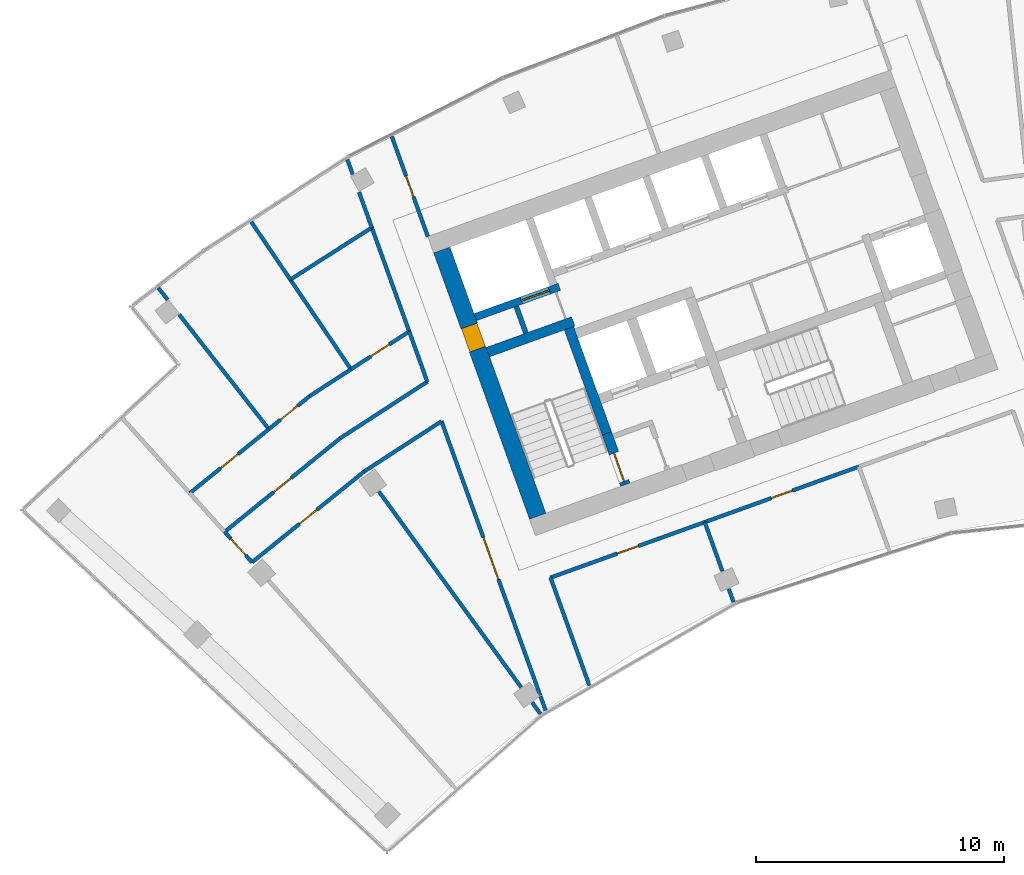
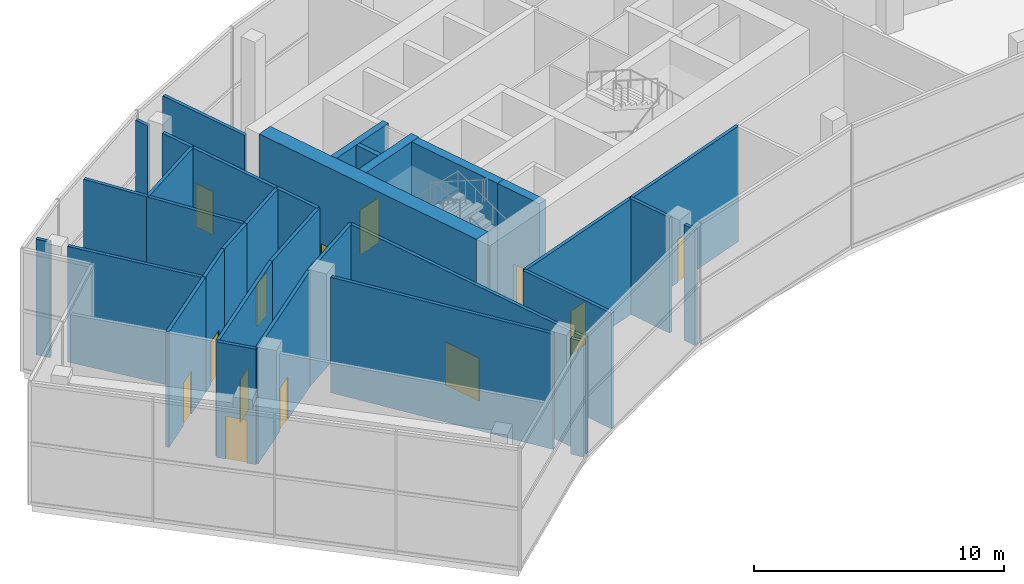
# One storey, part 11 of 18: 34 walls, 13 doors, 13 openings.
"""IFC4 building model written with IfcOpenShell, lengths in metres."""

from ifc_helpers import new_model, si_unit, direction, frame, frame_2d, origin, place, context, subcontext, project, spatial, rectangle, extrude, material, layer, layer_set, type_object, element, fill, save


model = new_model("IFC4")

# Units and contexts
model_context = context("Model", 3, precision=1e-05, world=origin(), true_north=direction((0.0, 1.0)))
body_context = subcontext(model_context, "Body", "Model", "MODEL_VIEW")
ifc_project = project(units=[si_unit("LENGTHUNIT", "METRE"), si_unit("AREAUNIT", "SQUARE_METRE"), si_unit("VOLUMEUNIT", "CUBIC_METRE"), si_unit("PLANEANGLEUNIT", "RADIAN"), si_unit("MASSUNIT", "GRAM", prefix="KILO")], contexts=[model_context])

# Site, building, storey
site_placement = place(None, origin())
site = spatial("IfcSite", under=ifc_project, at=site_placement, CompositionType="ELEMENT")
building_placement = place(site_placement, origin())
building = spatial("IfcBuilding", under=site, at=building_placement, Name="Stone Belt Terrace Tower", CompositionType="ELEMENT")
storey_placement = place(building_placement, frame((0.0, 0.0, 307.39990234375)))
storey = spatial("IfcBuildingStorey", under=building, at=storey_placement, Name="L75", CompositionType="ELEMENT", Elevation=307.39990234375)

# Wall, opening, door
ifc_material_1 = material(Name="Concrete B60", Category="concrete")
ifc_layer_1 = layer(ifc_material_1, 0.699951171875)
ifc_layer_set_1 = layer_set([ifc_layer_1], Name="Core wall 700 B60")
wall_type_1 = type_object("IfcWallType", Name="Core wall 700 B60", PredefinedType="SHEAR", material=ifc_layer_set_1)
wall_1_placement = place(storey_placement, frame((-25.679931640625, 43.153564453125, 0.0), z_axis=(0.0, 0.0, 1.0), x_axis=(-0.338625431531, 0.940921259788, 0.0)))
wall_1 = element("IfcWall", 1, at=wall_1_placement, inside=storey, type_object=wall_type_1, Name="Core A wall end_a L75", PredefinedType="SHEAR", context=body_context, shape_type="SweptSolid", body=[
    extrude(rectangle(XDim=11.400146484375, YDim=0.699951171875, at=frame_2d((5.7001953125, 0.0))), origin(), (0.0, 0.0, 1.0), 6.0),
])
opening_1_placement = place(wall_1_placement, frame((7.14990234375, 0.0, 0.0)))
opening_1 = element("IfcOpeningElement", 2, at=opening_1_placement, cuts=wall_1, Name="Opening L75-C06", PredefinedType="OPENING", context=body_context, shape_type="SweptSolid", body=[
    extrude(rectangle(XDim=1.0, YDim=2.10009765625, at=frame_2d((0.5, 1.050048828125))), frame((0.0, 0.35986328125, 0.0), z_axis=(0.0, -1.0, 0.0), x_axis=(1.0, 0.0, 0.0)), (0.0, 0.0, 1.0), 0.719970703125),
])
ifc_material_2 = material(Name="Timber door leaf", Category="wood")
door_type_1 = type_object("IfcDoorType", Name="Core room door 1000", OperationType="SINGLE_SWING_LEFT", PredefinedType="DOOR", material=ifc_material_2)
door_1_placement = place(opening_1_placement, origin())
door_1 = element("IfcDoor", 3, at=door_1_placement, inside=storey, type_object=door_type_1, Name="Door to Telecommunications riser room core A", OperationType="SINGLE_SWING_RIGHT", OverallHeight=2.10009765625, OverallWidth=1.0, PredefinedType="DOOR", context=body_context, shape_type="SweptSolid", body=[
    extrude(rectangle(XDim=1.0, YDim=2.10009765625, at=frame_2d((0.5, 1.050048828125))), frame((0.0, 0.330078125, 0.0), z_axis=(0.0, -1.0, 0.0), x_axis=(1.0, 0.0, 0.0)), (0.0, 0.0, 1.0), 0.659912109375),
])
fill(opening_1, door_1)

ifc_material_3 = material(Name="Concrete B80", Category="concrete")
ifc_layer_2 = layer(ifc_material_3, 0.300048828125)
ifc_layer_set_2 = layer_set([ifc_layer_2], Name="Lift shaft wall 300")
wall_type_2 = type_object("IfcWallType", Name="Lift shaft wall 300", PredefinedType="SHEAR", material=ifc_layer_set_2)
wall_2_placement = place(storey_placement, frame((-28.195068359375, 51.17578125, 0.0), z_axis=(0.0, 0.0, 1.0), x_axis=(0.940901243567, 0.338681044427, 0.0)))
wall_2 = element("IfcWall", 4, at=wall_2_placement, inside=storey, type_object=wall_type_2, Name="Core A wall", PredefinedType="SHEAR", context=body_context, shape_type="SweptSolid", body=[
    extrude(rectangle(XDim=3.599853515625, YDim=0.300048828125, at=frame_2d((1.7998046875, 0.0))), origin(), (0.0, 0.0, 1.0), 5.650146484375),
])
opening_2_placement = place(wall_2_placement, frame((1.969970703125, 0.0, 0.0)))
opening_2 = element("IfcOpeningElement", 5, at=opening_2_placement, cuts=wall_2, Name="Opening L75-LD08", PredefinedType="OPENING", context=body_context, shape_type="SweptSolid", body=[
    extrude(rectangle(XDim=1.199951171875, YDim=2.199951171875, at=frame_2d((0.60009765625, 1.10009765625))), frame((0.0, 0.159912109375, 0.0), z_axis=(0.0, -1.0, 0.0), x_axis=(1.0, 0.0, 0.0)), (0.0, 0.0, 1.0), 0.320068359375),
])
ifc_material_4 = material(Name="Stainless steel door leaf", Category="steel")
door_type_2 = type_object("IfcDoorType", Name="Landing door 1200", OperationType="SLIDING_TO_LEFT", PredefinedType="DOOR", material=ifc_material_4)
door_2_placement = place(opening_2_placement, origin())
door_2 = element("IfcDoor", 6, at=door_2_placement, inside=storey, type_object=door_type_2, Name="Landing door SV1 core A", OperationType="SLIDING_TO_LEFT", OverallHeight=2.199951171875, OverallWidth=1.199951171875, PredefinedType="DOOR", context=body_context, shape_type="SweptSolid", body=[
    extrude(rectangle(XDim=1.199951171875, YDim=2.199951171875, at=frame_2d((0.60009765625, 1.10009765625))), frame((0.0, 0.02490234375, 0.0), z_axis=(0.0, -1.0, 0.0), x_axis=(1.0, 0.0, 0.0)), (0.0, 0.0, 1.0), 0.050048828125),
])
fill(opening_2, door_2)

# Wall
ifc_material_5 = material(Name="Gypsum board partition")
ifc_layer_3 = layer(ifc_material_5, 0.14990234375)
ifc_layer_set_3 = layer_set([ifc_layer_3], Name="PARTITION 150 EI 60")
wall_type_3 = type_object("IfcWallType", Name="PARTITION 150 EI 60", PredefinedType="PARTITIONING", material=ifc_layer_set_3)
wall_3_placement = place(storey_placement, frame((-25.1650390625, 40.68896484375, 0.0), z_axis=(0.0, 0.0, 1.0), x_axis=(0.338609342271, -0.94092704995, 0.0)))
element("IfcWall", 7, at=wall_3_placement, inside=storey, type_object=wall_type_3, Name="L75/wall/i001", PredefinedType="PARTITIONING", context=body_context, shape_type="SweptSolid", body=[
    extrude(rectangle(XDim=4.6318359375, YDim=0.14990234375, at=frame_2d((2.31591796875, 0.0))), origin(), (0.0, 0.0, 1.0), 5.650146484375),
])

# Wall, opening, door
wall_4_placement = place(storey_placement, frame((-31.556884765625, 58.4521484375, 0.0), z_axis=(0.0, 0.0, 1.0), x_axis=(0.338580264222, -0.940937513695, 0.0)))
wall_4 = element("IfcWall", 8, at=wall_4_placement, inside=storey, type_object=wall_type_3, Name="L75/wall/i002", PredefinedType="PARTITIONING", context=body_context, shape_type="SweptSolid", body=[
    extrude(rectangle(XDim=4.285400390625, YDim=0.14990234375, at=frame_2d((2.142578125, 0.0))), origin(), (0.0, 0.0, 1.0), 5.650146484375),
])
opening_3_placement = place(wall_4_placement, frame((1.692626953125, 0.0, 0.0)))
opening_3 = element("IfcOpeningElement", 9, at=opening_3_placement, cuts=wall_4, Name="Opening D-OBS-04", PredefinedType="OPENING", context=body_context, shape_type="SweptSolid", body=[
    extrude(rectangle(XDim=0.89990234375, YDim=2.10009765625, at=frame_2d((0.449951171875, 1.050048828125))), frame((0.0, 0.0849609375, 0.0), z_axis=(0.0, -1.0, 0.0), x_axis=(1.0, 0.0, 0.0)), (0.0, 0.0, 1.0), 0.169921875),
])
door_type_3 = type_object("IfcDoorType", Name="OFFICE DOOR 900 X 2100", OperationType="NOTDEFINED", PredefinedType="DOOR", material=ifc_material_2)
door_3_placement = place(opening_3_placement, origin())
door_3 = element("IfcDoor", 10, at=door_3_placement, inside=storey, type_object=door_type_3, Name="L75/door/i04", OperationType="SINGLE_SWING_RIGHT", OverallHeight=2.10009765625, OverallWidth=0.89990234375, PredefinedType="DOOR", context=body_context, shape_type="SweptSolid", body=[
    extrude(rectangle(XDim=0.89990234375, YDim=2.10009765625, at=frame_2d((0.449951171875, 1.050048828125))), frame((0.0, 0.02490234375, 0.0), z_axis=(0.0, -1.0, 0.0), x_axis=(1.0, 0.0, 0.0)), (0.0, 0.0, 1.0), 0.050048828125),
])
fill(opening_3, door_3)

# Wall
wall_5_placement = place(storey_placement, frame((-25.361083984375, 35.329833984375, 0.0), z_axis=(0.0, 0.0, 1.0), x_axis=(-0.338633814852, 0.940918242696, 0.0)))
element("IfcWall", 11, at=wall_5_placement, inside=storey, type_object=wall_type_3, Name="L75/wall/i003", PredefinedType="PARTITIONING", context=body_context, shape_type="SweptSolid", body=[
    extrude(rectangle(XDim=0.605712890625, YDim=0.14990234375, at=frame_2d((0.302734375, 0.0))), origin(), (0.0, 0.0, 1.0), 5.650146484375),
])

# Wall, opening, door
wall_6_placement = place(storey_placement, frame((-25.5810546875, 35.94091796875, 0.0), z_axis=(0.0, 0.0, 1.0), x_axis=(-0.338660555828, 0.940908618265, 0.0)))
wall_6 = element("IfcWall", 12, at=wall_6_placement, inside=storey, type_object=wall_type_3, Name="L75/wall/i004", PredefinedType="PARTITIONING", context=body_context, shape_type="SweptSolid", body=[
    extrude(rectangle(XDim=11.73974609375, YDim=0.14990234375, at=frame_2d((5.869873046875, 0.0))), origin(), (0.0, 0.0, 1.0), 5.650146484375),
])
opening_4_placement = place(wall_6_placement, frame((4.969970703125, 0.0, 0.0)))
opening_4 = element("IfcOpeningElement", 13, at=opening_4_placement, cuts=wall_6, Name="Opening D-OBS-12", PredefinedType="OPENING", context=body_context, shape_type="SweptSolid", body=[
    extrude(rectangle(XDim=1.800048828125, YDim=2.10009765625, at=frame_2d((0.89990234375, 1.050048828125))), frame((0.0, 0.0849609375, 0.0), z_axis=(0.0, -1.0, 0.0), x_axis=(1.0, 0.0, 0.0)), (0.0, 0.0, 1.0), 0.169921875),
])
door_type_4 = type_object("IfcDoorType", Name="DOUBLE DOOR 1800 X 2100", OperationType="DOUBLE_DOOR_SINGLE_SWING", PredefinedType="DOOR", material=ifc_material_2)
door_4_placement = place(opening_4_placement, origin())
door_4 = element("IfcDoor", 14, at=door_4_placement, inside=storey, type_object=door_type_4, Name="L75/door/i12", OperationType="DOUBLE_DOOR_SINGLE_SWING", OverallHeight=2.10009765625, OverallWidth=1.800048828125, PredefinedType="DOOR", context=body_context, shape_type="SweptSolid", body=[
    extrude(rectangle(XDim=1.800048828125, YDim=2.10009765625, at=frame_2d((0.89990234375, 1.050048828125))), frame((0.0, 0.02490234375, 0.0), z_axis=(0.0, -1.0, 0.0), x_axis=(1.0, 0.0, 0.0)), (0.0, 0.0, 1.0), 0.050048828125),
])
fill(opening_4, door_4)

# Walls
wall_7_placement = place(storey_placement, frame((-30.1259765625, 48.568115234375, 0.0), z_axis=(0.0, 0.0, 1.0), x_axis=(-0.338315840616, 0.941032620045, 0.0)))
element("IfcWall", 15, at=wall_7_placement, inside=storey, type_object=wall_type_3, Name="L75/wall/i005", PredefinedType="PARTITIONING", context=body_context, shape_type="SweptSolid", body=[
    extrude(rectangle(XDim=2.16357421875, YDim=0.14990234375, at=frame_2d((1.081787109375, 0.0))), origin(), (0.0, 0.0, 1.0), 5.650146484375),
])
wall_8_placement = place(storey_placement, frame((-30.85400390625, 50.592041015625, 0.0), z_axis=(0.0, 0.0, 1.0), x_axis=(-0.338676809605, 0.940902767897, 0.0)))
element("IfcWall", 16, at=wall_8_placement, inside=storey, type_object=wall_type_3, Name="L75/wall/i006", PredefinedType="PARTITIONING", context=body_context, shape_type="SweptSolid", body=[
    extrude(rectangle(XDim=4.45849609375, YDim=0.14990234375, at=frame_2d((2.229248046875, 0.0))), origin(), (0.0, 0.0, 1.0), 5.650146484375),
])
wall_9_placement = place(storey_placement, frame((-32.360107421875, 54.77490234375, 0.0), z_axis=(0.0, 0.0, 1.0), x_axis=(-0.338469522462, 0.940977354863, 0.0)))
element("IfcWall", 17, at=wall_9_placement, inside=storey, type_object=wall_type_3, Name="L75/wall/i007", PredefinedType="PARTITIONING", context=body_context, shape_type="SweptSolid", body=[
    extrude(rectangle(XDim=1.52197265625, YDim=0.14990234375, at=frame_2d((0.760986328125, 0.0))), origin(), (0.0, 0.0, 1.0), 5.650146484375),
])
wall_10_placement = place(storey_placement, frame((-33.134765625, 56.928466796875, 0.0), z_axis=(0.0, 0.0, 1.0), x_axis=(-0.338733145318, 0.94088248802, 0.0)))
element("IfcWall", 18, at=wall_10_placement, inside=storey, type_object=wall_type_3, Name="L75/wall/i008", PredefinedType="PARTITIONING", context=body_context, shape_type="SweptSolid", body=[
    extrude(rectangle(XDim=0.632080078125, YDim=0.14990234375, at=frame_2d((0.31591796875, 0.0))), origin(), (0.0, 0.0, 1.0), 5.650146484375),
])

# Wall, opening, door
wall_11_placement = place(storey_placement, frame((-18.947021484375, 42.919921875, 0.0), z_axis=(0.0, 0.0, 1.0), x_axis=(-0.940934042754, -0.338589910047, 0.0)))
wall_11 = element("IfcWall", 19, at=wall_11_placement, inside=storey, type_object=wall_type_3, Name="L75/wall/i014", PredefinedType="PARTITIONING", context=body_context, shape_type="SweptSolid", body=[
    extrude(rectangle(XDim=6.606201171875, YDim=0.14990234375, at=frame_2d((3.30322265625, 0.0))), origin(), (0.0, 0.0, 1.0), 5.650146484375),
])
opening_5_placement = place(wall_11_placement, frame((2.85302734375, 0.0, 0.0)))
opening_5 = element("IfcOpeningElement", 20, at=opening_5_placement, cuts=wall_11, Name="Opening D-OBS-01", PredefinedType="OPENING", context=body_context, shape_type="SweptSolid", body=[
    extrude(rectangle(XDim=0.89990234375, YDim=2.10009765625, at=frame_2d((0.449951171875, 1.050048828125))), frame((0.0, 0.0849609375, 0.0), z_axis=(0.0, -1.0, 0.0), x_axis=(1.0, 0.0, 0.0)), (0.0, 0.0, 1.0), 0.169921875),
])
door_5_placement = place(opening_5_placement, origin())
door_5 = element("IfcDoor", 21, at=door_5_placement, inside=storey, type_object=door_type_3, Name="L75/door/i01", OperationType="SINGLE_SWING_RIGHT", OverallHeight=2.10009765625, OverallWidth=0.89990234375, PredefinedType="DOOR", context=body_context, shape_type="SweptSolid", body=[
    extrude(rectangle(XDim=0.89990234375, YDim=2.10009765625, at=frame_2d((0.449951171875, 1.050048828125))), frame((0.0, 0.02490234375, 0.0), z_axis=(0.0, -1.0, 0.0), x_axis=(1.0, 0.0, 0.0)), (0.0, 0.0, 1.0), 0.050048828125),
])
fill(opening_5, door_5)

wall_12_placement = place(storey_placement, frame((-12.737060546875, 45.155029296875, 0.0), z_axis=(0.0, 0.0, 1.0), x_axis=(-0.940929764212, -0.338601799788, 0.0)))
wall_12 = element("IfcWall", 22, at=wall_12_placement, inside=storey, type_object=wall_type_3, Name="L75/wall/i015", PredefinedType="PARTITIONING", context=body_context, shape_type="SweptSolid", body=[
    extrude(rectangle(XDim=6.612548828125, YDim=0.14990234375, at=frame_2d((3.30615234375, 0.0))), origin(), (0.0, 0.0, 1.0), 5.650146484375),
])
opening_6_placement = place(wall_12_placement, frame((2.856201171875, 0.0, 0.0)))
opening_6 = element("IfcOpeningElement", 23, at=opening_6_placement, cuts=wall_12, Name="Opening D-OBS-02", PredefinedType="OPENING", context=body_context, shape_type="SweptSolid", body=[
    extrude(rectangle(XDim=0.89990234375, YDim=2.10009765625, at=frame_2d((0.449951171875, 1.050048828125))), frame((0.0, 0.0849609375, 0.0), z_axis=(0.0, -1.0, 0.0), x_axis=(1.0, 0.0, 0.0)), (0.0, 0.0, 1.0), 0.169921875),
])
door_6_placement = place(opening_6_placement, origin())
door_6 = element("IfcDoor", 24, at=door_6_placement, inside=storey, type_object=door_type_3, Name="L75/door/i02", OperationType="SINGLE_SWING_RIGHT", OverallHeight=2.10009765625, OverallWidth=0.89990234375, PredefinedType="DOOR", context=body_context, shape_type="SweptSolid", body=[
    extrude(rectangle(XDim=0.89990234375, YDim=2.10009765625, at=frame_2d((0.449951171875, 1.050048828125))), frame((0.0, 0.02490234375, 0.0), z_axis=(0.0, -1.0, 0.0), x_axis=(1.0, 0.0, 0.0)), (0.0, 0.0, 1.0), 0.050048828125),
])
fill(opening_6, door_6)

# Walls
wall_13_placement = place(storey_placement, frame((-18.952880859375, 42.91796875, 0.0), z_axis=(0.0, 0.0, 1.0), x_axis=(0.338665874932, -0.940906703747, 0.0)))
element("IfcWall", 25, at=wall_13_placement, inside=storey, type_object=wall_type_3, Name="L75/wall/i017", PredefinedType="PARTITIONING", context=body_context, shape_type="SweptSolid", body=[
    extrude(rectangle(XDim=2.09716796875, YDim=0.14990234375, at=frame_2d((1.048583984375, 0.0))), origin(), (0.0, 0.0, 1.0), 5.650146484375),
])
wall_14_placement = place(storey_placement, frame((-17.984375, 40.22802734375, 0.0), z_axis=(0.0, 0.0, 1.0), x_axis=(0.338719468273, -0.940887411869, 0.0)))
element("IfcWall", 26, at=wall_14_placement, inside=storey, type_object=wall_type_3, Name="L75/wall/i018", PredefinedType="PARTITIONING", context=body_context, shape_type="SweptSolid", body=[
    extrude(rectangle(XDim=0.57080078125, YDim=0.14990234375, at=frame_2d((0.285400390625, 0.0))), origin(), (0.0, 0.0, 1.0), 5.650146484375),
])

# Wall, opening, door
wall_15_placement = place(storey_placement, frame((-37.18310546875, 41.294921875, 0.0), z_axis=(0.0, 0.0, 1.0), x_axis=(-0.669037778615, 0.743228397456, 0.0)))
wall_15 = element("IfcWall", 27, at=wall_15_placement, inside=storey, type_object=wall_type_3, Name="L75/wall/i038", PredefinedType="PARTITIONING", context=body_context, shape_type="SweptSolid", body=[
    extrude(rectangle(XDim=1.661865234375, YDim=0.14990234375, at=frame_2d((0.8310546875, 0.0))), origin(), (0.0, 0.0, 1.0), 5.650146484375),
])
opening_7_placement = place(wall_15_placement, frame((0.380859375, 0.0, 0.0)))
opening_7 = element("IfcOpeningElement", 28, at=opening_7_placement, cuts=wall_15, Name="Opening D-OBS-11", PredefinedType="OPENING", context=body_context, shape_type="SweptSolid", body=[
    extrude(rectangle(XDim=0.89990234375, YDim=2.10009765625, at=frame_2d((0.449951171875, 1.050048828125))), frame((0.0, 0.0849609375, 0.0), z_axis=(0.0, -1.0, 0.0), x_axis=(1.0, 0.0, 0.0)), (0.0, 0.0, 1.0), 0.169921875),
])
door_7_placement = place(opening_7_placement, origin())
door_7 = element("IfcDoor", 29, at=door_7_placement, inside=storey, type_object=door_type_3, Name="L75/door/i11", OperationType="SINGLE_SWING_RIGHT", OverallHeight=2.10009765625, OverallWidth=0.89990234375, PredefinedType="DOOR", context=body_context, shape_type="SweptSolid", body=[
    extrude(rectangle(XDim=0.89990234375, YDim=2.10009765625, at=frame_2d((0.449951171875, 1.050048828125))), frame((0.0, 0.02490234375, 0.0), z_axis=(0.0, -1.0, 0.0), x_axis=(1.0, 0.0, 0.0)), (0.0, 0.0, 1.0), 0.050048828125),
])
fill(opening_7, door_7)

# Wall
wall_16_placement = place(storey_placement, frame((-29.554931640625, 46.98095703125, 0.0), z_axis=(0.0, 0.0, 1.0), x_axis=(-0.838712683411, -0.544574177395, 0.0)))
element("IfcWall", 30, at=wall_16_placement, inside=storey, type_object=wall_type_3, Name="L75/wall/i042", PredefinedType="PARTITIONING", context=body_context, shape_type="SweptSolid", body=[
    extrude(rectangle(XDim=3.70947265625, YDim=0.14990234375, at=frame_2d((1.854736328125, 0.0))), origin(), (0.0, 0.0, 1.0), 5.650146484375),
])

# Wall, opening, door
wall_17_placement = place(storey_placement, frame((-32.666015625, 44.9609375, 0.0), z_axis=(0.0, 0.0, 1.0), x_axis=(-0.777157880909, -0.629305671467, 0.0)))
wall_17 = element("IfcWall", 31, at=wall_17_placement, inside=storey, type_object=wall_type_3, Name="L75/wall/i043", PredefinedType="PARTITIONING", context=body_context, shape_type="SweptSolid", body=[
    extrude(rectangle(XDim=5.8173828125, YDim=0.14990234375, at=frame_2d((2.90869140625, 0.0))), origin(), (0.0, 0.0, 1.0), 5.650146484375),
])
opening_8_placement = place(wall_17_placement, frame((2.458740234375, 0.0, 0.0)))
opening_8 = element("IfcOpeningElement", 32, at=opening_8_placement, cuts=wall_17, Name="Opening D-OBS-13", PredefinedType="OPENING", context=body_context, shape_type="SweptSolid", body=[
    extrude(rectangle(XDim=0.89990234375, YDim=2.10009765625, at=frame_2d((0.449951171875, 1.050048828125))), frame((0.0, 0.0849609375, 0.0), z_axis=(0.0, -1.0, 0.0), x_axis=(1.0, 0.0, 0.0)), (0.0, 0.0, 1.0), 0.169921875),
])
door_8_placement = place(opening_8_placement, origin())
door_8 = element("IfcDoor", 33, at=door_8_placement, inside=storey, type_object=door_type_3, Name="L75/door/i13", OperationType="SINGLE_SWING_RIGHT", OverallHeight=2.10009765625, OverallWidth=0.89990234375, PredefinedType="DOOR", context=body_context, shape_type="SweptSolid", body=[
    extrude(rectangle(XDim=0.89990234375, YDim=2.10009765625, at=frame_2d((0.449951171875, 1.050048828125))), frame((0.0, 0.02490234375, 0.0), z_axis=(0.0, -1.0, 0.0), x_axis=(1.0, 0.0, 0.0)), (0.0, 0.0, 1.0), 0.050048828125),
])
fill(opening_8, door_8)

wall_18_placement = place(storey_placement, frame((-38.291015625, 42.52587890625, 0.0), z_axis=(0.0, 0.0, 1.0), x_axis=(0.777109127033, 0.629365875054, 0.0)))
wall_18 = element("IfcWall", 34, at=wall_18_placement, inside=storey, type_object=wall_type_3, Name="L75/wall/i044", PredefinedType="PARTITIONING", context=body_context, shape_type="SweptSolid", body=[
    extrude(rectangle(XDim=5.990234375, YDim=0.14990234375, at=frame_2d((2.9951171875, 0.0))), origin(), (0.0, 0.0, 1.0), 5.650146484375),
])
opening_9_placement = place(wall_18_placement, frame((2.545166015625, 0.0, 0.0)))
opening_9 = element("IfcOpeningElement", 35, at=opening_9_placement, cuts=wall_18, Name="Opening D-OBS-14", PredefinedType="OPENING", context=body_context, shape_type="SweptSolid", body=[
    extrude(rectangle(XDim=0.89990234375, YDim=2.10009765625, at=frame_2d((0.449951171875, 1.050048828125))), frame((0.0, 0.0849609375, 0.0), z_axis=(0.0, -1.0, 0.0), x_axis=(1.0, 0.0, 0.0)), (0.0, 0.0, 1.0), 0.169921875),
])
door_9_placement = place(opening_9_placement, origin())
door_9 = element("IfcDoor", 36, at=door_9_placement, inside=storey, type_object=door_type_3, Name="L75/door/i14", OperationType="SINGLE_SWING_RIGHT", OverallHeight=2.10009765625, OverallWidth=0.89990234375, PredefinedType="DOOR", context=body_context, shape_type="SweptSolid", body=[
    extrude(rectangle(XDim=0.89990234375, YDim=2.10009765625, at=frame_2d((0.449951171875, 1.050048828125))), frame((0.0, 0.02490234375, 0.0), z_axis=(0.0, -1.0, 0.0), x_axis=(1.0, 0.0, 0.0)), (0.0, 0.0, 1.0), 0.050048828125),
])
fill(opening_9, door_9)

# Walls
wall_19_placement = place(storey_placement, frame((-33.635986328125, 46.2958984375, 0.0), z_axis=(0.0, 0.0, 1.0), x_axis=(0.838679571288, 0.544625170832, 0.0)))
element("IfcWall", 37, at=wall_19_placement, inside=storey, type_object=wall_type_3, Name="L75/wall/i045", PredefinedType="PARTITIONING", context=body_context, shape_type="SweptSolid", body=[
    extrude(rectangle(XDim=4.182861328125, YDim=0.14990234375, at=frame_2d((2.09130859375, 0.0))), origin(), (0.0, 0.0, 1.0), 5.650146484375),
])
wall_20_placement = place(storey_placement, frame((-25.568115234375, 35.192138671875, 0.0), z_axis=(0.0, 0.0, 1.0), x_axis=(-0.588120346537, 0.808773428093, 0.0)))
element("IfcWall", 38, at=wall_20_placement, inside=storey, type_object=wall_type_3, Name="L75/wall/i046", PredefinedType="PARTITIONING", context=body_context, shape_type="SweptSolid", body=[
    extrude(rectangle(XDim=0.5654296875, YDim=0.14990234375, at=frame_2d((0.28271484375, 0.0))), origin(), (0.0, 0.0, 1.0), 5.650146484375),
])
wall_21_placement = place(storey_placement, frame((-26.34716796875, 36.264404296875, 0.0), z_axis=(0.0, 0.0, 1.0), x_axis=(-0.587809662232, 0.808999258953, 0.0)))
element("IfcWall", 39, at=wall_21_placement, inside=storey, type_object=wall_type_3, Name="L75/wall/i047", PredefinedType="PARTITIONING", context=body_context, shape_type="SweptSolid", body=[
    extrude(rectangle(XDim=9.7451171875, YDim=0.14990234375, at=frame_2d((4.87255859375, 0.0))), origin(), (0.0, 0.0, 1.0), 5.650146484375),
])

# Wall, opening, door
wall_22_placement = place(storey_placement, frame((-39.694091796875, 44.0849609375, 0.0), z_axis=(0.0, 0.0, 1.0), x_axis=(0.777210230824, 0.629241016703, 0.0)))
wall_22 = element("IfcWall", 40, at=wall_22_placement, inside=storey, type_object=wall_type_3, Name="L75/wall/i048", PredefinedType="PARTITIONING", context=body_context, shape_type="SweptSolid", body=[
    extrude(rectangle(XDim=4.103515625, YDim=0.14990234375, at=frame_2d((2.0517578125, 0.0))), origin(), (0.0, 0.0, 1.0), 5.650146484375),
])
opening_10_placement = place(wall_22_placement, frame((1.6015625, 0.0, 0.0)))
opening_10 = element("IfcOpeningElement", 41, at=opening_10_placement, cuts=wall_22, Name="Opening D-OBS-15", PredefinedType="OPENING", context=body_context, shape_type="SweptSolid", body=[
    extrude(rectangle(XDim=0.89990234375, YDim=2.10009765625, at=frame_2d((0.449951171875, 1.050048828125))), frame((0.0, 0.0849609375, 0.0), z_axis=(0.0, -1.0, 0.0), x_axis=(1.0, 0.0, 0.0)), (0.0, 0.0, 1.0), 0.169921875),
])
door_10_placement = place(opening_10_placement, origin())
door_10 = element("IfcDoor", 42, at=door_10_placement, inside=storey, type_object=door_type_3, Name="L75/door/i15", OperationType="SINGLE_SWING_RIGHT", OverallHeight=2.10009765625, OverallWidth=0.89990234375, PredefinedType="DOOR", context=body_context, shape_type="SweptSolid", body=[
    extrude(rectangle(XDim=0.89990234375, YDim=2.10009765625, at=frame_2d((0.449951171875, 1.050048828125))), frame((0.0, 0.02490234375, 0.0), z_axis=(0.0, -1.0, 0.0), x_axis=(1.0, 0.0, 0.0)), (0.0, 0.0, 1.0), 0.050048828125),
])
fill(opening_10, door_10)

wall_23_placement = place(storey_placement, frame((-36.513916015625, 46.659912109375, 0.0), z_axis=(0.0, 0.0, 1.0), x_axis=(0.777164283985, 0.629297763939, 0.0)))
wall_23 = element("IfcWall", 43, at=wall_23_placement, inside=storey, type_object=wall_type_3, Name="L75/wall/i049", PredefinedType="PARTITIONING", context=body_context, shape_type="SweptSolid", body=[
    extrude(rectangle(XDim=2.11669921875, YDim=0.14990234375, at=frame_2d((1.058349609375, 0.0))), origin(), (0.0, 0.0, 1.0), 5.650146484375),
])
opening_11_placement = place(wall_23_placement, frame((0.6083984375, 0.0, 0.0)))
opening_11 = element("IfcOpeningElement", 44, at=opening_11_placement, cuts=wall_23, Name="Opening D-OBS-16", PredefinedType="OPENING", context=body_context, shape_type="SweptSolid", body=[
    extrude(rectangle(XDim=0.89990234375, YDim=2.10009765625, at=frame_2d((0.449951171875, 1.050048828125))), frame((0.0, 0.0849609375, 0.0), z_axis=(0.0, -1.0, 0.0), x_axis=(1.0, 0.0, 0.0)), (0.0, 0.0, 1.0), 0.169921875),
])
door_11_placement = place(opening_11_placement, origin())
door_11 = element("IfcDoor", 45, at=door_11_placement, inside=storey, type_object=door_type_3, Name="L75/door/i16", OperationType="SINGLE_SWING_RIGHT", OverallHeight=2.10009765625, OverallWidth=0.89990234375, PredefinedType="DOOR", context=body_context, shape_type="SweptSolid", body=[
    extrude(rectangle(XDim=0.89990234375, YDim=2.10009765625, at=frame_2d((0.449951171875, 1.050048828125))), frame((0.0, 0.02490234375, 0.0), z_axis=(0.0, -1.0, 0.0), x_axis=(1.0, 0.0, 0.0)), (0.0, 0.0, 1.0), 0.050048828125),
])
fill(opening_11, door_11)

# Wall
wall_24_placement = place(storey_placement, frame((-34.868896484375, 47.991943359375, 0.0), z_axis=(0.0, 0.0, 1.0), x_axis=(0.838767892149, 0.544489139562, 0.0)))
element("IfcWall", 46, at=wall_24_placement, inside=storey, type_object=wall_type_3, Name="L75/wall/i050", PredefinedType="PARTITIONING", context=body_context, shape_type="SweptSolid", body=[
    extrude(rectangle(XDim=1.994384765625, YDim=0.14990234375, at=frame_2d((0.9970703125, 0.0))), origin(), (0.0, 0.0, 1.0), 5.650146484375),
])

# Wall, opening, door
wall_25_placement = place(storey_placement, frame((-33.2060546875, 49.072021484375, 0.0), z_axis=(0.0, 0.0, 1.0), x_axis=(0.838718223529, 0.544565644822, 0.0)))
wall_25 = element("IfcWall", 47, at=wall_25_placement, inside=storey, type_object=wall_type_3, Name="L75/wall/i051", PredefinedType="PARTITIONING", context=body_context, shape_type="SweptSolid", body=[
    extrude(rectangle(XDim=2.802001953125, YDim=0.14990234375, at=frame_2d((1.40087890625, 0.0))), origin(), (0.0, 0.0, 1.0), 5.650146484375),
])
opening_12_placement = place(wall_25_placement, frame((0.950927734375, 0.0, 0.0)))
opening_12 = element("IfcOpeningElement", 48, at=opening_12_placement, cuts=wall_25, Name="Opening D-OBS-17", PredefinedType="OPENING", context=body_context, shape_type="SweptSolid", body=[
    extrude(rectangle(XDim=0.89990234375, YDim=2.10009765625, at=frame_2d((0.449951171875, 1.050048828125))), frame((0.0, 0.0849609375, 0.0), z_axis=(0.0, -1.0, 0.0), x_axis=(1.0, 0.0, 0.0)), (0.0, 0.0, 1.0), 0.169921875),
])
door_12_placement = place(opening_12_placement, origin())
door_12 = element("IfcDoor", 49, at=door_12_placement, inside=storey, type_object=door_type_3, Name="L75/door/i17", OperationType="SINGLE_SWING_RIGHT", OverallHeight=2.10009765625, OverallWidth=0.89990234375, PredefinedType="DOOR", context=body_context, shape_type="SweptSolid", body=[
    extrude(rectangle(XDim=0.89990234375, YDim=2.10009765625, at=frame_2d((0.449951171875, 1.050048828125))), frame((0.0, 0.02490234375, 0.0), z_axis=(0.0, -1.0, 0.0), x_axis=(1.0, 0.0, 0.0)), (0.0, 0.0, 1.0), 0.050048828125),
])
fill(opening_12, door_12)

# Walls
wall_26_placement = place(storey_placement, frame((-40.963623046875, 52.356689453125, 0.0), z_axis=(0.0, 0.0, 1.0), x_axis=(0.616134966401, -0.787640592642, 0.0)))
element("IfcWall", 50, at=wall_26_placement, inside=storey, type_object=wall_type_3, Name="L75/wall/i052", PredefinedType="PARTITIONING", context=body_context, shape_type="SweptSolid", body=[
    extrude(rectangle(XDim=0.60791015625, YDim=0.14990234375, at=frame_2d((0.303955078125, 0.0))), origin(), (0.0, 0.0, 1.0), 5.650146484375),
])
wall_27_placement = place(storey_placement, frame((-40.120849609375, 51.279541015625, 0.0), z_axis=(0.0, 0.0, 1.0), x_axis=(0.616173451087, -0.787610486329, 0.0)))
element("IfcWall", 51, at=wall_27_placement, inside=storey, type_object=wall_type_3, Name="L75/wall/i053", PredefinedType="PARTITIONING", context=body_context, shape_type="SweptSolid", body=[
    extrude(rectangle(XDim=5.860107421875, YDim=0.14990234375, at=frame_2d((2.93017578125, 0.0))), origin(), (0.0, 0.0, 1.0), 5.650146484375),
])
wall_28_placement = place(storey_placement, frame((-35.64697265625, 52.69091796875, 0.0), z_axis=(0.0, 0.0, 1.0), x_axis=(0.560301468636, -0.82828875656, 0.0)))
element("IfcWall", 52, at=wall_28_placement, inside=storey, type_object=wall_type_3, Name="L75/wall/i054", PredefinedType="PARTITIONING", context=body_context, shape_type="SweptSolid", body=[
    extrude(rectangle(XDim=4.365478515625, YDim=0.14990234375, at=frame_2d((2.1826171875, 0.0))), origin(), (0.0, 0.0, 1.0), 5.650146484375),
])
wall_29_placement = place(storey_placement, frame((-37.218017578125, 55.013916015625, 0.0), z_axis=(0.0, 0.0, 1.0), x_axis=(0.56028837955, -0.828297610609, 0.0)))
element("IfcWall", 53, at=wall_29_placement, inside=storey, type_object=wall_type_3, Name="L75/wall/i055", PredefinedType="PARTITIONING", context=body_context, shape_type="SweptSolid", body=[
    extrude(rectangle(XDim=2.816650390625, YDim=0.14990234375, at=frame_2d((1.408203125, 0.0))), origin(), (0.0, 0.0, 1.0), 5.650146484375),
])
wall_30_placement = place(storey_placement, frame((-35.64404296875, 52.68603515625, 0.0), z_axis=(0.0, 0.0, 1.0), x_axis=(0.842911923686, 0.538051567146, 0.0)))
element("IfcWall", 54, at=wall_30_placement, inside=storey, type_object=wall_type_3, Name="L75/wall/i056", PredefinedType="PARTITIONING", context=body_context, shape_type="SweptSolid", body=[
    extrude(rectangle(XDim=3.8935546875, YDim=0.14990234375, at=frame_2d((1.94677734375, 0.0))), origin(), (0.0, 0.0, 1.0), 5.650146484375),
])
ifc_material_6 = material(Name="Concrete masonry block", Category="masonry")
ifc_layer_4 = layer(ifc_material_6, 0.199951171875)
ifc_layer_set_4 = layer_set([ifc_layer_4], Name="Rated lobby wall 200")
wall_type_4 = type_object("IfcWallType", Name="Rated lobby wall 200", PredefinedType="PARTITIONING", material=ifc_layer_set_4)
wall_31_placement = place(storey_placement, frame((-26.1552734375, 50.5283203125, 0.0), z_axis=(0.0, 0.0, 1.0), x_axis=(-0.338621735342, 0.94092258999, 0.0)))
element("IfcWall", 55, at=wall_31_placement, inside=storey, type_object=wall_type_4, Name="Core A wall", PredefinedType="PARTITIONING", context=body_context, shape_type="SweptSolid", body=[
    extrude(rectangle(XDim=1.14990234375, YDim=0.199951171875, at=frame_2d((0.574951171875, 0.0))), origin(), (0.0, 0.0, 1.0), 5.650146484375),
])
ifc_layer_5 = layer(ifc_material_3, 0.39990234375)
ifc_layer_set_5 = layer_set([ifc_layer_5], Name="Stair enclosure wall 400")
wall_type_5 = type_object("IfcWallType", Name="Stair enclosure wall 400", PredefinedType="SHEAR", material=ifc_layer_set_5)
wall_32_placement = place(storey_placement, frame((-27.687255859375, 49.764404296875, 0.0), z_axis=(0.0, 0.0, 1.0), x_axis=(0.940918954884, 0.338631835981, 0.0)))
element("IfcWall", 56, at=wall_32_placement, inside=storey, type_object=wall_type_5, Name="Core A wall", PredefinedType="SHEAR", context=body_context, shape_type="SweptSolid", body=[
    extrude(rectangle(XDim=3.650146484375, YDim=0.39990234375, at=frame_2d((1.8251953125, 0.0))), origin(), (0.0, 0.0, 1.0), 5.650146484375),
])

# Wall, opening, door
wall_33_placement = place(storey_placement, frame((-22.151611328125, 44.42333984375, 0.0), z_axis=(0.0, 0.0, 1.0), x_axis=(-0.338577997708, 0.940938329259, 0.0)))
wall_33 = element("IfcWall", 57, at=wall_33_placement, inside=storey, type_object=wall_type_5, Name="Core A wall", PredefinedType="SHEAR", context=body_context, shape_type="SweptSolid", body=[
    extrude(rectangle(XDim=2.199951171875, YDim=0.39990234375, at=frame_2d((1.10009765625, 0.0))), origin(), (0.0, 0.0, 1.0), 5.650146484375),
])
opening_13_placement = place(wall_33_placement, frame((0.14990234375, 0.0, 0.0)))
opening_13 = element("IfcOpeningElement", 58, at=opening_13_placement, cuts=wall_33, Name="Opening L75-C10", PredefinedType="OPENING", context=body_context, shape_type="SweptSolid", body=[
    extrude(rectangle(XDim=1.199951171875, YDim=2.10009765625, at=frame_2d((0.60009765625, 1.050048828125))), frame((0.0, 0.2099609375, 0.0), z_axis=(0.0, -1.0, 0.0), x_axis=(1.0, 0.0, 0.0)), (0.0, 0.0, 1.0), 0.419921875),
])
ifc_material_7 = material(Name="Steel door leaf", Category="steel")
door_type_5 = type_object("IfcDoorType", Name="Stair door 1200", OperationType="SINGLE_SWING_LEFT", PredefinedType="DOOR", material=ifc_material_7)
door_13_placement = place(opening_13_placement, origin())
door_13 = element("IfcDoor", 59, at=door_13_placement, inside=storey, type_object=door_type_5, Name="Stair 1 door core A", OperationType="SINGLE_SWING_LEFT", OverallHeight=2.10009765625, OverallWidth=1.199951171875, PredefinedType="DOOR", context=body_context, shape_type="SweptSolid", body=[
    extrude(rectangle(XDim=1.199951171875, YDim=2.10009765625, at=frame_2d((0.60009765625, 1.050048828125))), frame((0.0, 0.02490234375, 0.0), z_axis=(0.0, -1.0, 0.0), x_axis=(1.0, 0.0, 0.0)), (0.0, 0.0, 1.0), 0.050048828125),
])
fill(opening_13, door_13)

# Wall
wall_34_placement = place(storey_placement, frame((-22.896484375, 46.493408203125, 0.0), z_axis=(0.0, 0.0, 1.0), x_axis=(-0.338648384874, 0.940912998859, 0.0)))
element("IfcWall", 60, at=wall_34_placement, inside=storey, type_object=wall_type_5, Name="Core A wall", PredefinedType="SHEAR", context=body_context, shape_type="SweptSolid", body=[
    extrude(rectangle(XDim=4.5, YDim=0.39990234375, at=frame_2d((2.25, 0.0))), origin(), (0.0, 0.0, 1.0), 5.650146484375),
])

save(model, "model.ifc")
